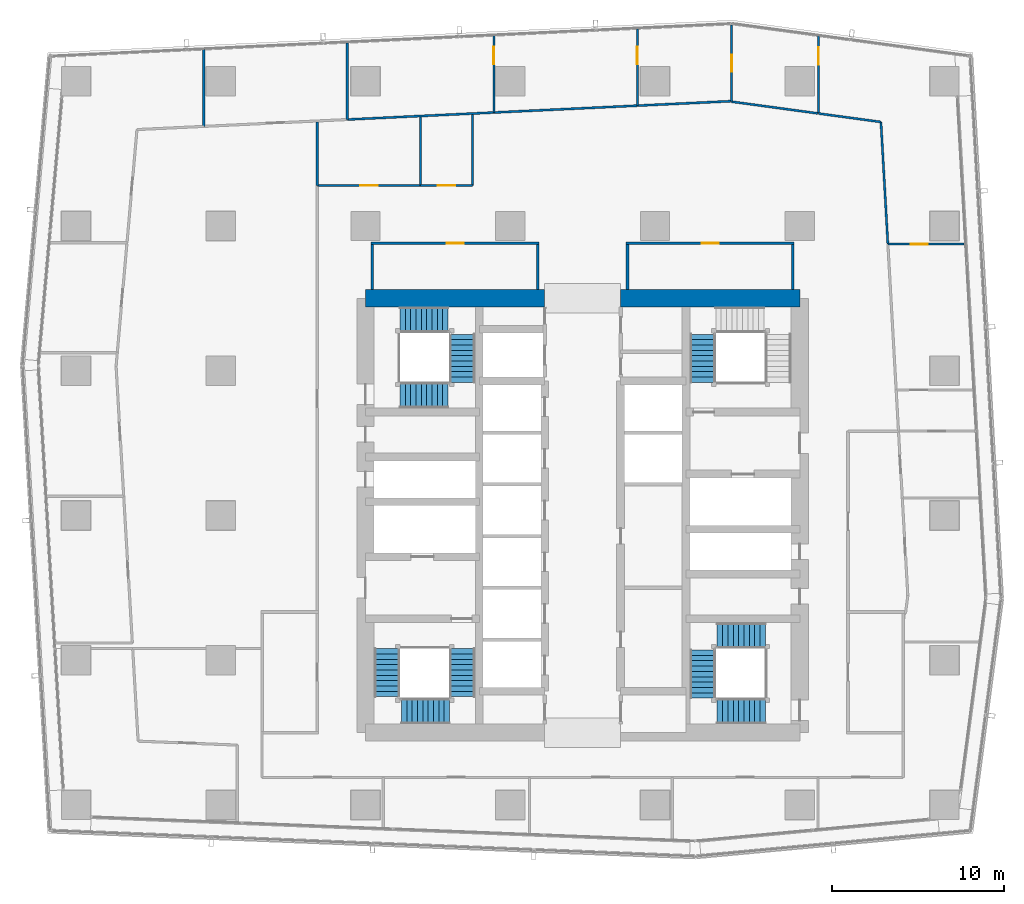
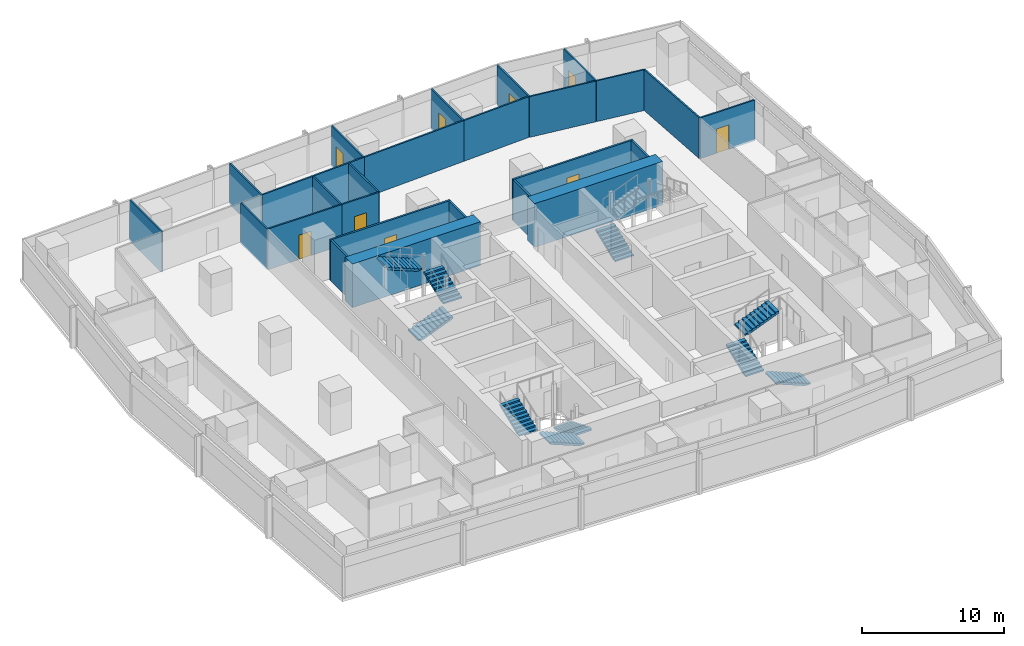
# One storey, part 30 of 39: 26 walls, 10 stair flights, 9 doors, 9 openings, 4 elements without a shape of their own.
"""IFC4 building model written with IfcOpenShell, lengths in metres."""

from ifc_helpers import new_model, si_unit, direction, frame, frame_2d, origin, place, context, subcontext, project, spatial, polyline, rectangle, outline, extrude, material, layer, layer_set, type_object, element, fill, aggregate, save


model = new_model("IFC4")

# Units and contexts
model_context = context("Model", 3, precision=1e-05, world=origin(), true_north=direction((0.0, 1.0)))
body_context = subcontext(model_context, "Body", "Model", "MODEL_VIEW")
ifc_project = project(units=[si_unit("LENGTHUNIT", "METRE"), si_unit("AREAUNIT", "SQUARE_METRE"), si_unit("VOLUMEUNIT", "CUBIC_METRE"), si_unit("PLANEANGLEUNIT", "RADIAN"), si_unit("MASSUNIT", "GRAM", prefix="KILO")], contexts=[model_context])

# Site, building, storey
site_placement = place(None, origin())
site = spatial("IfcSite", under=ifc_project, at=site_placement, CompositionType="ELEMENT")
building_placement = place(site_placement, origin())
building = spatial("IfcBuilding", under=site, at=building_placement, Name="Rekha Terrace Tower", CompositionType="ELEMENT")
storey_placement = place(building_placement, frame((0.0, 0.0, 180.199951171875)))
storey = spatial("IfcBuildingStorey", under=building, at=storey_placement, Name="L45", CompositionType="ELEMENT", Elevation=180.199951171875)

# Walls
ifc_material_1 = material(Name="Concrete M60", Category="concrete")
ifc_layer_1 = layer(ifc_material_1, 1.0)
ifc_layer_set_1 = layer_set([ifc_layer_1], Name="Concrete M60")
wall_type_1 = type_object("IfcWallType", Name="SW3 1000 core outer shear wall", PredefinedType="SHEAR", material=ifc_layer_set_1)
wall_1_placement = place(storey_placement, frame((25.199951171875, 46.199951171875, 0.0), z_axis=(0.0, 0.0, 1.0), x_axis=(1.0, 0.0, 0.0)))
element("IfcWall", 1, at=wall_1_placement, inside=storey, type_object=wall_type_1, Name="Core wall N1 L45", PredefinedType="SHEAR", context=body_context, shape_type="SweptSolid", body=[
    extrude(rectangle(XDim=10.400146484375, YDim=1.0, at=frame_2d((5.2001953125, 0.0))), origin(), (0.0, 0.0, 1.0), 3.75),
])
wall_2_placement = place(storey_placement, frame((40.0, 46.199951171875, 0.0), z_axis=(0.0, 0.0, 1.0), x_axis=(1.0, 0.0, 0.0)))
element("IfcWall", 2, at=wall_2_placement, inside=storey, type_object=wall_type_1, Name="Core wall N2 L45", PredefinedType="SHEAR", context=body_context, shape_type="SweptSolid", body=[
    extrude(rectangle(XDim=10.39990234375, YDim=1.0, at=frame_2d((5.199951171875, 0.0))), origin(), (0.0, 0.0, 1.0), 3.75),
])

# Wall, opening, door
ifc_material_2 = material(Name="Concrete block masonry, 1 hour", Category="masonry")
ifc_layer_2 = layer(ifc_material_2, 0.14990234375)
ifc_layer_set_2 = layer_set([ifc_layer_2], Name="Concrete block masonry, 1 hour")
wall_type_2 = type_object("IfcWallType", Name="WP2 150 tenancy partition", PredefinedType="PARTITIONING", material=ifc_layer_set_2)
wall_3_placement = place(storey_placement, frame((40.324951171875, 49.39990234375, 0.0), z_axis=(0.0, 0.0, 1.0), x_axis=(1.0, 0.0, 0.0)))
wall_3 = element("IfcWall", 3, at=wall_3_placement, inside=storey, type_object=wall_type_2, Name="Women's WC wall L45", PredefinedType="PARTITIONING", context=body_context, shape_type="SweptSolid", body=[
    extrude(rectangle(XDim=9.75, YDim=0.14990234375, at=frame_2d((4.875, 0.0))), origin(), (0.0, 0.0, 1.0), 3.5),
])
opening_1_placement = place(wall_3_placement, frame((4.375, 0.0, 0.0)))
opening_1 = element("IfcOpeningElement", 4, at=opening_1_placement, cuts=wall_3, Name="Opening D3", PredefinedType="OPENING", context=body_context, shape_type="SweptSolid", body=[
    extrude(rectangle(XDim=1.0, YDim=2.10009765625, at=frame_2d((0.5, 1.050048828125))), frame((0.0, 0.0849609375, 0.0), z_axis=(0.0, -1.0, 0.0), x_axis=(1.0, 0.0, 0.0)), (0.0, 0.0, 1.0), 0.169921875),
])
ifc_material_3 = material(Name="Laminated timber fire door", Category="wood")
door_type_1 = type_object("IfcDoorType", Name="D3 1000x2100 WC door", OperationType="SINGLE_SWING_LEFT", PredefinedType="DOOR", material=ifc_material_3)
door_1_placement = place(opening_1_placement, origin())
door_1 = element("IfcDoor", 5, at=door_1_placement, inside=storey, type_object=door_type_1, Name="Door women's wc L45", OperationType="SINGLE_SWING_LEFT", OverallHeight=2.10009765625, OverallWidth=1.0, PredefinedType="DOOR", context=body_context, shape_type="SweptSolid", body=[
    extrude(rectangle(XDim=1.0, YDim=2.10009765625, at=frame_2d((0.5, 1.050048828125))), frame((0.0, 0.02490234375, 0.0), z_axis=(0.0, -1.0, 0.0), x_axis=(1.0, 0.0, 0.0)), (0.0, 0.0, 1.0), 0.050048828125),
])
fill(opening_1, door_1)

# Walls
for number, where, z_axis, x_axis, name in (
    (6, (40.39990234375, 46.699951171875, 0.0), (0.0, 0.0, 1.0), (0.0, 1.0, 0.0), "Women's WC wall L45"),
    (7, (50.0, 46.699951171875, 0.0), (0.0, 0.0, 1.0), (0.0, 1.0, 0.0), "Women's WC wall L45"),
):
    element("IfcWall", number, at=place(storey_placement, frame(where, z_axis=z_axis, x_axis=x_axis)), inside=storey, type_object=wall_type_2, Name=name, PredefinedType="PARTITIONING", context=body_context, shape_type="SweptSolid", body=[
        extrude(rectangle(XDim=2.625, YDim=0.14990234375, at=frame_2d((1.3125, 0.0))), origin(), (0.0, 0.0, 1.0), 3.5),
    ])

# Wall, opening, door
wall_4_placement = place(storey_placement, frame((25.52490234375, 49.39990234375, 0.0), z_axis=(0.0, 0.0, 1.0), x_axis=(1.0, 0.0, 0.0)))
wall_4 = element("IfcWall", 8, at=wall_4_placement, inside=storey, type_object=wall_type_2, Name="Women's WC wall L45", PredefinedType="PARTITIONING", context=body_context, shape_type="SweptSolid", body=[
    extrude(rectangle(XDim=9.75, YDim=0.14990234375, at=frame_2d((4.875, 0.0))), origin(), (0.0, 0.0, 1.0), 3.5),
])
opening_2_placement = place(wall_4_placement, frame((4.375, 0.0, 0.0)))
opening_2 = element("IfcOpeningElement", 9, at=opening_2_placement, cuts=wall_4, Name="Opening D3", PredefinedType="OPENING", context=body_context, shape_type="SweptSolid", body=[
    extrude(rectangle(XDim=1.0, YDim=2.10009765625, at=frame_2d((0.5, 1.050048828125))), frame((0.0, 0.0849609375, 0.0), z_axis=(0.0, -1.0, 0.0), x_axis=(1.0, 0.0, 0.0)), (0.0, 0.0, 1.0), 0.169921875),
])
door_2_placement = place(opening_2_placement, origin())
door_2 = element("IfcDoor", 10, at=door_2_placement, inside=storey, type_object=door_type_1, Name="Door women's wc L45", OperationType="SINGLE_SWING_LEFT", OverallHeight=2.10009765625, OverallWidth=1.0, PredefinedType="DOOR", context=body_context, shape_type="SweptSolid", body=[
    extrude(rectangle(XDim=1.0, YDim=2.10009765625, at=frame_2d((0.5, 1.050048828125))), frame((0.0, 0.02490234375, 0.0), z_axis=(0.0, -1.0, 0.0), x_axis=(1.0, 0.0, 0.0)), (0.0, 0.0, 1.0), 0.050048828125),
])
fill(opening_2, door_2)

# Walls
for number, where, z_axis, x_axis, name in (
    (11, (25.60009765625, 46.699951171875, 0.0), (0.0, 0.0, 1.0), (0.0, 1.0, 0.0), "Women's WC wall L45"),
    (12, (35.199951171875, 46.699951171875, 0.0), (0.0, 0.0, 1.0), (0.0, 1.0, 0.0), "Women's WC wall L45"),
):
    element("IfcWall", number, at=place(storey_placement, frame(where, z_axis=z_axis, x_axis=x_axis)), inside=storey, type_object=wall_type_2, Name=name, PredefinedType="PARTITIONING", context=body_context, shape_type="SweptSolid", body=[
        extrude(rectangle(XDim=2.625, YDim=0.14990234375, at=frame_2d((1.3125, 0.0))), origin(), (0.0, 0.0, 1.0), 3.5),
    ])

# Wall, opening, door
ifc_material_4 = material(Name="Two layers of fire-rated gypsum board each side on steel studs, acoustic quilt, 1 hour", Category="steel")
ifc_layer_3 = layer(ifc_material_4, 0.125)
ifc_layer_set_3 = layer_set([ifc_layer_3], Name="Two layers of fire-rated gypsum board each side on steel studs, acoustic quilt, 1 hour")
wall_type_3 = type_object("IfcWallType", Name="WP3 125 office partition", PredefinedType="PARTITIONING", material=ifc_layer_set_3)
wall_5_placement = place(storey_placement, frame((55.511962890625, 49.345947265625, 0.0), z_axis=(0.0, 0.0, 1.0), x_axis=(1.0, 0.0, 0.0)))
wall_5 = element("IfcWall", 13, at=wall_5_placement, inside=storey, type_object=wall_type_3, Name="Partition L45-11", PredefinedType="PARTITIONING", context=body_context, shape_type="SweptSolid", body=[
    extrude(rectangle(XDim=4.427001953125, YDim=0.125, at=frame_2d((2.21337890625, 0.0))), origin(), (0.0, 0.0, 1.0), 3.5),
])
opening_3_placement = place(wall_5_placement, frame((1.31298828125, 0.0, 0.0)))
opening_3 = element("IfcOpeningElement", 14, at=opening_3_placement, cuts=wall_5, Name="Opening D9", PredefinedType="OPENING", context=body_context, shape_type="SweptSolid", body=[
    extrude(rectangle(XDim=1.0, YDim=2.10009765625, at=frame_2d((0.5, 1.050048828125))), frame((0.0, 0.072509765625, 0.0), z_axis=(0.0, -1.0, 0.0), x_axis=(1.0, 0.0, 0.0)), (0.0, 0.0, 1.0), 0.14501953125),
])
ifc_material_5 = material(Name="Timber fire door", Category="wood")
door_type_2 = type_object("IfcDoorType", Name="D9 1000x2100 office door", OperationType="SINGLE_SWING_LEFT", PredefinedType="DOOR", material=ifc_material_5)
door_3_placement = place(opening_3_placement, origin())
door_3 = element("IfcDoor", 15, at=door_3_placement, inside=storey, type_object=door_type_2, Name="Door director's office L45", OperationType="SINGLE_SWING_LEFT", OverallHeight=2.10009765625, OverallWidth=1.0, PredefinedType="DOOR", context=body_context, shape_type="SweptSolid", body=[
    extrude(rectangle(XDim=1.0, YDim=2.10009765625, at=frame_2d((0.5, 1.050048828125))), frame((0.0, 0.02490234375, 0.0), z_axis=(0.0, -1.0, 0.0), x_axis=(1.0, 0.0, 0.0)), (0.0, 0.0, 1.0), 0.050048828125),
])
fill(opening_3, door_3)

# Walls
wall_6_placement = place(storey_placement, frame((55.511962890625, 49.346923828125, 0.0), z_axis=(0.0, 0.0, 1.0), x_axis=(-0.056790198377, 0.998386134403, 0.0)))
element("IfcWall", 16, at=wall_6_placement, inside=storey, type_object=wall_type_3, Name="Partition L45-12", PredefinedType="PARTITIONING", context=body_context, shape_type="SweptSolid", body=[
    extrude(rectangle(XDim=7.09765625, YDim=0.125, at=frame_2d((3.548828125, 0.0))), origin(), (0.0, 0.0, 1.0), 3.5),
])
wall_7_placement = place(storey_placement, frame((55.10888671875, 56.43310546875, 0.0), z_axis=(0.0, 0.0, 1.0), x_axis=(-0.990875204357, 0.134782526282, 0.0)))
element("IfcWall", 17, at=wall_7_placement, inside=storey, type_object=wall_type_3, Name="Partition L45-12", PredefinedType="PARTITIONING", context=body_context, shape_type="SweptSolid", body=[
    extrude(rectangle(XDim=3.6572265625, YDim=0.125, at=frame_2d((1.82861328125, 0.0))), origin(), (0.0, 0.0, 1.0), 3.5),
])

# Wall, opening, door
wall_8_placement = place(storey_placement, frame((51.485107421875, 56.926025390625, 0.0), z_axis=(0.0, 0.0, 1.0), x_axis=(0.0, 1.0, 0.0)))
wall_8 = element("IfcWall", 18, at=wall_8_placement, inside=storey, type_object=wall_type_3, Name="Partition L45-12", PredefinedType="PARTITIONING", context=body_context, shape_type="SweptSolid", body=[
    extrude(rectangle(XDim=4.491943359375, YDim=0.125, at=frame_2d((2.24609375, 0.0))), origin(), (0.0, 0.0, 1.0), 3.5),
])
opening_4_placement = place(wall_8_placement, frame((2.8310546875, 0.0, 0.0)))
opening_4 = element("IfcOpeningElement", 19, at=opening_4_placement, cuts=wall_8, Name="Opening D9", PredefinedType="OPENING", context=body_context, shape_type="SweptSolid", body=[
    extrude(rectangle(XDim=1.0, YDim=2.10009765625, at=frame_2d((0.5, 1.050048828125))), frame((0.0, 0.072509765625, 0.0), z_axis=(0.0, -1.0, 0.0), x_axis=(1.0, 0.0, 0.0)), (0.0, 0.0, 1.0), 0.14501953125),
])
door_4_placement = place(opening_4_placement, origin())
door_4 = element("IfcDoor", 20, at=door_4_placement, inside=storey, type_object=door_type_2, Name="Door office L45", OperationType="SINGLE_SWING_LEFT", OverallHeight=2.10009765625, OverallWidth=1.0, PredefinedType="DOOR", context=body_context, shape_type="SweptSolid", body=[
    extrude(rectangle(XDim=1.0, YDim=2.10009765625, at=frame_2d((0.5, 1.050048828125))), frame((0.0, 0.02490234375, 0.0), z_axis=(0.0, -1.0, 0.0), x_axis=(1.0, 0.0, 0.0)), (0.0, 0.0, 1.0), 0.050048828125),
])
fill(opening_4, door_4)

# Wall
wall_9_placement = place(storey_placement, frame((51.422119140625, 56.93505859375, 0.0), z_axis=(0.0, 0.0, 1.0), x_axis=(-0.990875070968, 0.134783506906, 0.0)))
element("IfcWall", 21, at=wall_9_placement, inside=storey, type_object=wall_type_3, Name="Partition L45-13", PredefinedType="PARTITIONING", context=body_context, shape_type="SweptSolid", body=[
    extrude(rectangle(XDim=5.02294921875, YDim=0.125, at=frame_2d((2.511474609375, 0.0))), origin(), (0.0, 0.0, 1.0), 3.5),
])

# Wall, opening, door
wall_10_placement = place(storey_placement, frame((46.445068359375, 57.62109375, 0.0), z_axis=(0.0, 0.0, 1.0), x_axis=(0.0, 1.0, 0.0)))
wall_10 = element("IfcWall", 22, at=wall_10_placement, inside=storey, type_object=wall_type_3, Name="Partition L45-13", PredefinedType="PARTITIONING", context=body_context, shape_type="SweptSolid", body=[
    extrude(rectangle(XDim=4.44580078125, YDim=0.125, at=frame_2d((2.222900390625, 0.0))), origin(), (0.0, 0.0, 1.0), 3.5),
])
opening_5_placement = place(wall_10_placement, frame((1.718994140625, 0.0, 0.0)))
opening_5 = element("IfcOpeningElement", 23, at=opening_5_placement, cuts=wall_10, Name="Opening D9", PredefinedType="OPENING", context=body_context, shape_type="SweptSolid", body=[
    extrude(rectangle(XDim=1.0, YDim=2.10009765625, at=frame_2d((0.5, 1.050048828125))), frame((0.0, 0.072509765625, 0.0), z_axis=(0.0, -1.0, 0.0), x_axis=(1.0, 0.0, 0.0)), (0.0, 0.0, 1.0), 0.14501953125),
])
door_5_placement = place(opening_5_placement, origin())
door_5 = element("IfcDoor", 24, at=door_5_placement, inside=storey, type_object=door_type_2, Name="Door office L45", OperationType="SINGLE_SWING_LEFT", OverallHeight=2.10009765625, OverallWidth=1.0, PredefinedType="DOOR", context=body_context, shape_type="SweptSolid", body=[
    extrude(rectangle(XDim=1.0, YDim=2.10009765625, at=frame_2d((0.5, 1.050048828125))), frame((0.0, 0.02490234375, 0.0), z_axis=(0.0, -1.0, 0.0), x_axis=(1.0, 0.0, 0.0)), (0.0, 0.0, 1.0), 0.050048828125),
])
fill(opening_5, door_5)

wall_11_placement = place(storey_placement, frame((40.97802734375, 57.381103515625, 0.0), z_axis=(0.0, 0.0, 1.0), x_axis=(0.0, 1.0, 0.0)))
wall_11 = element("IfcWall", 25, at=wall_11_placement, inside=storey, type_object=wall_type_3, Name="Partition L45-14", PredefinedType="PARTITIONING", context=body_context, shape_type="SweptSolid", body=[
    extrude(rectangle(XDim=4.454833984375, YDim=0.125, at=frame_2d((2.2275390625, 0.0))), origin(), (0.0, 0.0, 1.0), 3.5),
])
opening_6_placement = place(wall_11_placement, frame((2.412109375, 0.0, 0.0)))
opening_6 = element("IfcOpeningElement", 26, at=opening_6_placement, cuts=wall_11, Name="Opening D9", PredefinedType="OPENING", context=body_context, shape_type="SweptSolid", body=[
    extrude(rectangle(XDim=1.0, YDim=2.10009765625, at=frame_2d((0.5, 1.050048828125))), frame((0.0, 0.072509765625, 0.0), z_axis=(0.0, -1.0, 0.0), x_axis=(1.0, 0.0, 0.0)), (0.0, 0.0, 1.0), 0.14501953125),
])
door_6_placement = place(opening_6_placement, origin())
door_6 = element("IfcDoor", 27, at=door_6_placement, inside=storey, type_object=door_type_2, Name="Door office L45", OperationType="SINGLE_SWING_LEFT", OverallHeight=2.10009765625, OverallWidth=1.0, PredefinedType="DOOR", context=body_context, shape_type="SweptSolid", body=[
    extrude(rectangle(XDim=1.0, YDim=2.10009765625, at=frame_2d((0.5, 1.050048828125))), frame((0.0, 0.02490234375, 0.0), z_axis=(0.0, -1.0, 0.0), x_axis=(1.0, 0.0, 0.0)), (0.0, 0.0, 1.0), 0.050048828125),
])
fill(opening_6, door_6)

# Walls
wall_12_placement = place(storey_placement, frame((46.383056640625, 57.638916015625, 0.0), z_axis=(0.0, 0.0, 1.0), x_axis=(-0.998864357741, -0.047644462793, 0.0)))
element("IfcWall", 28, at=wall_12_placement, inside=storey, type_object=wall_type_3, Name="Partition L45-14", PredefinedType="PARTITIONING", context=body_context, shape_type="SweptSolid", body=[
    extrude(rectangle(XDim=5.4111328125, YDim=0.125, at=frame_2d((2.70556640625, 0.0))), origin(), (0.0, 0.0, 1.0), 3.5),
])
wall_13_placement = place(storey_placement, frame((40.97705078125, 57.381103515625, 0.0), z_axis=(0.0, 0.0, 1.0), x_axis=(-0.998858643294, -0.047764115375, 0.0)))
element("IfcWall", 29, at=wall_13_placement, inside=storey, type_object=wall_type_3, Name="Partition L45-15", PredefinedType="PARTITIONING", context=body_context, shape_type="SweptSolid", body=[
    extrude(rectangle(XDim=8.336669921875, YDim=0.125, at=frame_2d((4.16845703125, 0.0))), origin(), (0.0, 0.0, 1.0), 3.5),
])

# Wall, opening, door
wall_14_placement = place(storey_placement, frame((32.64990234375, 56.98291015625, 0.0), z_axis=(0.0, 0.0, 1.0), x_axis=(0.0, 1.0, 0.0)))
wall_14 = element("IfcWall", 30, at=wall_14_placement, inside=storey, type_object=wall_type_3, Name="Partition L45-15", PredefinedType="PARTITIONING", context=body_context, shape_type="SweptSolid", body=[
    extrude(rectangle(XDim=4.455078125, YDim=0.125, at=frame_2d((2.2275390625, 0.0))), origin(), (0.0, 0.0, 1.0), 3.5),
])
opening_7_placement = place(wall_14_placement, frame((2.81201171875, 0.0, 0.0)))
opening_7 = element("IfcOpeningElement", 31, at=opening_7_placement, cuts=wall_14, Name="Opening D9", PredefinedType="OPENING", context=body_context, shape_type="SweptSolid", body=[
    extrude(rectangle(XDim=1.0, YDim=2.10009765625, at=frame_2d((0.5, 1.050048828125))), frame((0.0, 0.072509765625, 0.0), z_axis=(0.0, -1.0, 0.0), x_axis=(1.0, 0.0, 0.0)), (0.0, 0.0, 1.0), 0.14501953125),
])
door_7_placement = place(opening_7_placement, origin())
door_7 = element("IfcDoor", 32, at=door_7_placement, inside=storey, type_object=door_type_2, Name="Door office L45", OperationType="SINGLE_SWING_LEFT", OverallHeight=2.10009765625, OverallWidth=1.0, PredefinedType="DOOR", context=body_context, shape_type="SweptSolid", body=[
    extrude(rectangle(XDim=1.0, YDim=2.10009765625, at=frame_2d((0.5, 1.050048828125))), frame((0.0, 0.02490234375, 0.0), z_axis=(0.0, -1.0, 0.0), x_axis=(1.0, 0.0, 0.0)), (0.0, 0.0, 1.0), 0.050048828125),
])
fill(opening_7, door_7)

# Walls
wall_15_placement = place(storey_placement, frame((32.64892578125, 56.98291015625, 0.0), z_axis=(0.0, 0.0, 1.0), x_axis=(-0.998857279552, -0.047792625861, 0.0)))
element("IfcWall", 33, at=wall_15_placement, inside=storey, type_object=wall_type_3, Name="Partition L45-16", PredefinedType="PARTITIONING", context=body_context, shape_type="SweptSolid", body=[
    extrude(rectangle(XDim=8.515625, YDim=0.125, at=frame_2d((4.2578125, 0.0))), origin(), (0.0, 0.0, 1.0), 3.5),
])
for number, where, z_axis, x_axis, name in (
    (34, (24.14306640625, 56.575927734375, 0.0), (0.0, 0.0, 1.0), (0.0, 1.0, 0.0), "Partition L45-16"),
    (35, (15.81591796875, 56.177978515625, 0.0), (0.0, 0.0, 1.0), (0.0, 1.0, 0.0), "Partition L45-17"),
):
    element("IfcWall", number, at=place(storey_placement, frame(where, z_axis=z_axis, x_axis=x_axis)), inside=storey, type_object=wall_type_3, Name=name, PredefinedType="PARTITIONING", context=body_context, shape_type="SweptSolid", body=[
        extrude(rectangle(XDim=4.455078125, YDim=0.125, at=frame_2d((2.2275390625, 0.0))), origin(), (0.0, 0.0, 1.0), 3.5),
    ])
wall_16_placement = place(storey_placement, frame((28.39990234375, 56.717041015625, 0.0), z_axis=(0.0, 0.0, 1.0), x_axis=(0.0, -1.0, 0.0)))
element("IfcWall", 36, at=wall_16_placement, inside=storey, type_object=wall_type_3, Name="Partition L45-22", PredefinedType="PARTITIONING", context=body_context, shape_type="SweptSolid", body=[
    extrude(rectangle(XDim=3.967041015625, YDim=0.125, at=frame_2d((1.9833984375, 0.0))), origin(), (0.0, 0.0, 1.0), 3.5),
])

# Wall, opening, door
wall_17_placement = place(storey_placement, frame((28.39990234375, 52.75, 0.0), z_axis=(0.0, 0.0, 1.0), x_axis=(-1.0, 0.0, 0.0)))
wall_17 = element("IfcWall", 37, at=wall_17_placement, inside=storey, type_object=wall_type_3, Name="Partition L45-22", PredefinedType="PARTITIONING", context=body_context, shape_type="SweptSolid", body=[
    extrude(rectangle(XDim=6.0, YDim=0.125, at=frame_2d((3.0, 0.0))), origin(), (0.0, 0.0, 1.0), 3.5),
])
opening_8_placement = place(wall_17_placement, frame((2.5, 0.0, 0.0)))
opening_8 = element("IfcOpeningElement", 38, at=opening_8_placement, cuts=wall_17, Name="Opening D9", PredefinedType="OPENING", context=body_context, shape_type="SweptSolid", body=[
    extrude(rectangle(XDim=1.0, YDim=2.10009765625, at=frame_2d((0.5, 1.050048828125))), frame((0.0, 0.072509765625, 0.0), z_axis=(0.0, -1.0, 0.0), x_axis=(1.0, 0.0, 0.0)), (0.0, 0.0, 1.0), 0.14501953125),
])
door_8_placement = place(opening_8_placement, origin())
door_8 = element("IfcDoor", 39, at=door_8_placement, inside=storey, type_object=door_type_2, Name="Door reception L45", OperationType="SINGLE_SWING_LEFT", OverallHeight=2.10009765625, OverallWidth=1.0, PredefinedType="DOOR", context=body_context, shape_type="SweptSolid", body=[
    extrude(rectangle(XDim=1.0, YDim=2.10009765625, at=frame_2d((0.5, 1.050048828125))), frame((0.0, 0.02490234375, 0.0), z_axis=(0.0, -1.0, 0.0), x_axis=(1.0, 0.0, 0.0)), (0.0, 0.0, 1.0), 0.050048828125),
])
fill(opening_8, door_8)

# Walls
wall_18_placement = place(storey_placement, frame((22.39990234375, 52.75, 0.0), z_axis=(0.0, 0.0, 1.0), x_axis=(0.0, 1.0, 0.0)))
element("IfcWall", 40, at=wall_18_placement, inside=storey, type_object=wall_type_3, Name="Partition L45-22", PredefinedType="PARTITIONING", context=body_context, shape_type="SweptSolid", body=[
    extrude(rectangle(XDim=3.679931640625, YDim=0.125, at=frame_2d((1.83984375, 0.0))), origin(), (0.0, 0.0, 1.0), 3.5),
])
wall_19_placement = place(storey_placement, frame((31.39990234375, 56.861083984375, 0.0), z_axis=(0.0, 0.0, 1.0), x_axis=(0.0, -1.0, 0.0)))
element("IfcWall", 41, at=wall_19_placement, inside=storey, type_object=wall_type_3, Name="Partition L45-23", PredefinedType="PARTITIONING", context=body_context, shape_type="SweptSolid", body=[
    extrude(rectangle(XDim=4.111083984375, YDim=0.125, at=frame_2d((2.0556640625, 0.0))), origin(), (0.0, 0.0, 1.0), 3.5),
])

# Wall, opening, door
wall_20_placement = place(storey_placement, frame((31.39990234375, 52.75, 0.0), z_axis=(0.0, 0.0, 1.0), x_axis=(-1.0, 0.0, 0.0)))
wall_20 = element("IfcWall", 42, at=wall_20_placement, inside=storey, type_object=wall_type_3, Name="Partition L45-23", PredefinedType="PARTITIONING", context=body_context, shape_type="SweptSolid", body=[
    extrude(rectangle(XDim=3.0, YDim=0.125, at=frame_2d((1.5, 0.0))), origin(), (0.0, 0.0, 1.0), 3.5),
])
opening_9_placement = place(wall_20_placement, frame((1.0, 0.0, 0.0)))
opening_9 = element("IfcOpeningElement", 43, at=opening_9_placement, cuts=wall_20, Name="Opening D9", PredefinedType="OPENING", context=body_context, shape_type="SweptSolid", body=[
    extrude(rectangle(XDim=1.0, YDim=2.10009765625, at=frame_2d((0.5, 1.050048828125))), frame((0.0, 0.072509765625, 0.0), z_axis=(0.0, -1.0, 0.0), x_axis=(1.0, 0.0, 0.0)), (0.0, 0.0, 1.0), 0.14501953125),
])
door_9_placement = place(opening_9_placement, origin())
door_9 = element("IfcDoor", 44, at=door_9_placement, inside=storey, type_object=door_type_2, Name="Door print room L45", OperationType="SINGLE_SWING_LEFT", OverallHeight=2.10009765625, OverallWidth=1.0, PredefinedType="DOOR", context=body_context, shape_type="SweptSolid", body=[
    extrude(rectangle(XDim=1.0, YDim=2.10009765625, at=frame_2d((0.5, 1.050048828125))), frame((0.0, 0.02490234375, 0.0), z_axis=(0.0, -1.0, 0.0), x_axis=(1.0, 0.0, 0.0)), (0.0, 0.0, 1.0), 0.050048828125),
])
fill(opening_9, door_9)

# Stair, stair flights
ifc_material_6 = material(Name="Concrete M40", Category="concrete")
stair_type = type_object("IfcStairType", Name="ST30 stair, 30 risers of 125, going 310, 1500 wide flights, 3 flights", PredefinedType="HALF_TURN_STAIR", material=ifc_material_6)
stair_1_placement = place(storey_placement, origin())
stair_1 = element("IfcStair", 45, at=stair_1_placement, inside=storey, type_object=stair_type, Name="Stair ST1 L45 to L46", PredefinedType="HALF_TURN_STAIR")
stair_flight_type = type_object("IfcStairFlightType", Name="SF10 stair flight, 10 risers of 125, going 310, 1500 wide", PredefinedType="STRAIGHT", material=ifc_material_6)
stair_flight_1_placement = place(storey_placement, frame((30.824951171875, 25.875, 0.0), z_axis=(0.0, 0.0, 1.0), x_axis=(0.0, -1.0, 0.0)))
stair_flight_1 = element("IfcStairFlight", 46, at=stair_flight_1_placement, type_object=stair_flight_type, Name="ST1 flight 1", NumberOfRisers=10, NumberOfTreads=9, PredefinedType="STRAIGHT", RiserHeight=0.125, TreadLength=0.31, context=body_context, shape_type="SweptSolid", body=[
    extrude(outline(polyline([(0.0, 0.0), (0.0, 0.125), (0.31005859375, 0.125), (0.31005859375, 0.25), (0.6201171875, 0.25), (0.6201171875, 0.375), (0.929931640625, 0.375), (0.929931640625, 0.5), (1.239990234375, 0.5), (1.239990234375, 0.625), (1.550048828125, 0.625), (1.550048828125, 0.75), (1.860107421875, 0.75), (1.860107421875, 0.875), (2.169921875, 0.875), (2.169921875, 1.0), (2.47998046875, 1.0), (2.47998046875, 1.125), (2.7900390625, 1.125), (2.7900390625, 1.25), (2.7900390625, 0.96337890625), (0.40087890625, 0.0), (0.0, 0.0)])), frame((0.0, 0.75, 0.0), z_axis=(0.0, -1.0, 0.0), x_axis=(1.0, 0.0, 0.0)), (0.0, 0.0, 1.0), 1.5),
])
stair_flight_2_placement = place(storey_placement, frame((30.074951171875, 22.25, 1.25), z_axis=(0.0, 0.0, 1.0), x_axis=(-1.0, 0.0, 0.0)))
stair_flight_2 = element("IfcStairFlight", 47, at=stair_flight_2_placement, type_object=stair_flight_type, Name="ST1 flight 2", NumberOfRisers=10, NumberOfTreads=9, PredefinedType="STRAIGHT", RiserHeight=0.125, TreadLength=0.31, context=body_context, shape_type="SweptSolid", body=[
    extrude(outline(polyline([(0.0, 0.0), (0.0, 0.125), (0.31005859375, 0.125), (0.31005859375, 0.25), (0.6201171875, 0.25), (0.6201171875, 0.375), (0.929931640625, 0.375), (0.929931640625, 0.5), (1.239990234375, 0.5), (1.239990234375, 0.625), (1.550048828125, 0.625), (1.550048828125, 0.75), (1.860107421875, 0.75), (1.860107421875, 0.875), (2.169921875, 0.875), (2.169921875, 1.0), (2.47998046875, 1.0), (2.47998046875, 1.125), (2.7900390625, 1.125), (2.7900390625, 1.25), (2.7900390625, 0.96337890625), (0.40087890625, 0.0), (0.0, 0.0)])), frame((0.0, 0.75, 0.0), z_axis=(0.0, -1.0, 0.0), x_axis=(1.0, 0.0, 0.0)), (0.0, 0.0, 1.0), 1.5),
])
stair_flight_3_placement = place(storey_placement, frame((26.449951171875, 23.0849609375, 2.5), z_axis=(0.0, 0.0, 1.0), x_axis=(0.0, 1.0, 0.0)))
stair_flight_3 = element("IfcStairFlight", 48, at=stair_flight_3_placement, type_object=stair_flight_type, Name="ST1 flight 3", NumberOfRisers=10, NumberOfTreads=9, PredefinedType="STRAIGHT", RiserHeight=0.125, TreadLength=0.31, context=body_context, shape_type="SweptSolid", body=[
    extrude(outline(polyline([(0.0, 0.0), (0.0, 0.125), (0.31005859375, 0.125), (0.31005859375, 0.25), (0.6201171875, 0.25), (0.6201171875, 0.375), (0.929931640625, 0.375), (0.929931640625, 0.5), (1.239990234375, 0.5), (1.239990234375, 0.625), (1.550048828125, 0.625), (1.550048828125, 0.75), (1.860107421875, 0.75), (1.860107421875, 0.875), (2.169921875, 0.875), (2.169921875, 1.0), (2.47998046875, 1.0), (2.47998046875, 1.125), (2.7900390625, 1.125), (2.7900390625, 1.25), (2.7900390625, 0.96337890625), (0.40087890625, 0.0), (0.0, 0.0)])), frame((0.0, 0.75, 0.0), z_axis=(0.0, -1.0, 0.0), x_axis=(1.0, 0.0, 0.0)), (0.0, 0.0, 1.0), 1.5),
])
aggregate(stair_1, [stair_flight_1, stair_flight_2, stair_flight_3])

# Stair, stair flight
stair_2_placement = place(storey_placement, origin())
stair_2 = element("IfcStair", 49, at=stair_2_placement, inside=storey, type_object=stair_type, Name="Stair ST2 L45 to L46", PredefinedType="HALF_TURN_STAIR")
stair_flight_4_placement = place(storey_placement, frame((44.77490234375, 41.324951171875, 0.0), z_axis=(0.0, 0.0, 1.0), x_axis=(0.0, 1.0, 0.0)))
stair_flight_4 = element("IfcStairFlight", 50, at=stair_flight_4_placement, type_object=stair_flight_type, Name="ST2 flight 1", NumberOfRisers=10, NumberOfTreads=9, PredefinedType="STRAIGHT", RiserHeight=0.125, TreadLength=0.31, context=body_context, shape_type="SweptSolid", body=[
    extrude(outline(polyline([(0.0, 0.0), (0.0, 0.125), (0.31005859375, 0.125), (0.31005859375, 0.25), (0.6201171875, 0.25), (0.6201171875, 0.375), (0.929931640625, 0.375), (0.929931640625, 0.5), (1.239990234375, 0.5), (1.239990234375, 0.625), (1.550048828125, 0.625), (1.550048828125, 0.75), (1.860107421875, 0.75), (1.860107421875, 0.875), (2.169921875, 0.875), (2.169921875, 1.0), (2.47998046875, 1.0), (2.47998046875, 1.125), (2.7900390625, 1.125), (2.7900390625, 1.25), (2.7900390625, 0.96337890625), (0.40087890625, 0.0), (0.0, 0.0)])), frame((0.0, 0.75, 0.0), z_axis=(0.0, -1.0, 0.0), x_axis=(1.0, 0.0, 0.0)), (0.0, 0.0, 1.0), 1.5),
])
aggregate(stair_2, [stair_flight_4])

# Stair, stair flights
stair_3_placement = place(storey_placement, origin())
stair_3 = element("IfcStair", 51, at=stair_3_placement, inside=storey, type_object=stair_type, Name="Stair ST3 L45 to L46", PredefinedType="HALF_TURN_STAIR")
stair_flight_5_placement = place(storey_placement, frame((48.39990234375, 22.25, 0.0), z_axis=(0.0, 0.0, 1.0), x_axis=(-1.0, 0.0, 0.0)))
stair_flight_5 = element("IfcStairFlight", 52, at=stair_flight_5_placement, type_object=stair_flight_type, Name="ST3 flight 1", NumberOfRisers=10, NumberOfTreads=9, PredefinedType="STRAIGHT", RiserHeight=0.125, TreadLength=0.31, context=body_context, shape_type="SweptSolid", body=[
    extrude(outline(polyline([(0.0, 0.0), (0.0, 0.125), (0.31005859375, 0.125), (0.31005859375, 0.25), (0.6201171875, 0.25), (0.6201171875, 0.375), (0.929931640625, 0.375), (0.929931640625, 0.5), (1.239990234375, 0.5), (1.239990234375, 0.625), (1.550048828125, 0.625), (1.550048828125, 0.75), (1.860107421875, 0.75), (1.860107421875, 0.875), (2.169921875, 0.875), (2.169921875, 1.0), (2.47998046875, 1.0), (2.47998046875, 1.125), (2.7900390625, 1.125), (2.7900390625, 1.25), (2.7900390625, 0.96337890625), (0.40087890625, 0.0), (0.0, 0.0)])), frame((0.0, 0.75, 0.0), z_axis=(0.0, -1.0, 0.0), x_axis=(1.0, 0.0, 0.0)), (0.0, 0.0, 1.0), 1.5),
])
stair_flight_6_placement = place(storey_placement, frame((44.77490234375, 23.0, 1.25), z_axis=(0.0, 0.0, 1.0), x_axis=(0.0, 1.0, 0.0)))
stair_flight_6 = element("IfcStairFlight", 53, at=stair_flight_6_placement, type_object=stair_flight_type, Name="ST3 flight 2", NumberOfRisers=10, NumberOfTreads=9, PredefinedType="STRAIGHT", RiserHeight=0.125, TreadLength=0.31, context=body_context, shape_type="SweptSolid", body=[
    extrude(outline(polyline([(0.0, 0.0), (0.0, 0.125), (0.31005859375, 0.125), (0.31005859375, 0.25), (0.6201171875, 0.25), (0.6201171875, 0.375), (0.929931640625, 0.375), (0.929931640625, 0.5), (1.239990234375, 0.5), (1.239990234375, 0.625), (1.550048828125, 0.625), (1.550048828125, 0.75), (1.860107421875, 0.75), (1.860107421875, 0.875), (2.169921875, 0.875), (2.169921875, 1.0), (2.47998046875, 1.0), (2.47998046875, 1.125), (2.7900390625, 1.125), (2.7900390625, 1.25), (2.7900390625, 0.96337890625), (0.40087890625, 0.0), (0.0, 0.0)])), frame((0.0, 0.75, 0.0), z_axis=(0.0, -1.0, 0.0), x_axis=(1.0, 0.0, 0.0)), (0.0, 0.0, 1.0), 1.5),
])
stair_flight_7_placement = place(storey_placement, frame((45.610107421875, 26.625, 2.5), z_axis=(0.0, 0.0, 1.0), x_axis=(1.0, 0.0, 0.0)))
stair_flight_7 = element("IfcStairFlight", 54, at=stair_flight_7_placement, type_object=stair_flight_type, Name="ST3 flight 3", NumberOfRisers=10, NumberOfTreads=9, PredefinedType="STRAIGHT", RiserHeight=0.125, TreadLength=0.31, context=body_context, shape_type="SweptSolid", body=[
    extrude(outline(polyline([(0.0, 0.0), (0.0, 0.125), (0.31005859375, 0.125), (0.31005859375, 0.25), (0.6201171875, 0.25), (0.6201171875, 0.375), (0.929931640625, 0.375), (0.929931640625, 0.5), (1.239990234375, 0.5), (1.239990234375, 0.625), (1.550048828125, 0.625), (1.550048828125, 0.75), (1.860107421875, 0.75), (1.860107421875, 0.875), (2.169921875, 0.875), (2.169921875, 1.0), (2.47998046875, 1.0), (2.47998046875, 1.125), (2.7900390625, 1.125), (2.7900390625, 1.25), (2.7900390625, 0.96337890625), (0.40087890625, 0.0), (0.0, 0.0)])), frame((0.0, 0.75, 0.0), z_axis=(0.0, -1.0, 0.0), x_axis=(1.0, 0.0, 0.0)), (0.0, 0.0, 1.0), 1.5),
])
aggregate(stair_3, [stair_flight_5, stair_flight_6, stair_flight_7])

stair_4_placement = place(storey_placement, origin())
stair_4 = element("IfcStair", 55, at=stair_4_placement, inside=storey, type_object=stair_type, Name="Stair ST4 L45 to L46", PredefinedType="HALF_TURN_STAIR")
stair_flight_8_placement = place(storey_placement, frame((27.199951171875, 40.574951171875, 0.0), z_axis=(0.0, 0.0, 1.0), x_axis=(1.0, 0.0, 0.0)))
stair_flight_8 = element("IfcStairFlight", 56, at=stair_flight_8_placement, type_object=stair_flight_type, Name="ST4 flight 1", NumberOfRisers=10, NumberOfTreads=9, PredefinedType="STRAIGHT", RiserHeight=0.125, TreadLength=0.31, context=body_context, shape_type="SweptSolid", body=[
    extrude(outline(polyline([(0.0, 0.0), (0.0, 0.125), (0.31005859375, 0.125), (0.31005859375, 0.25), (0.6201171875, 0.25), (0.6201171875, 0.375), (0.929931640625, 0.375), (0.929931640625, 0.5), (1.239990234375, 0.5), (1.239990234375, 0.625), (1.550048828125, 0.625), (1.550048828125, 0.75), (1.860107421875, 0.75), (1.860107421875, 0.875), (2.169921875, 0.875), (2.169921875, 1.0), (2.47998046875, 1.0), (2.47998046875, 1.125), (2.7900390625, 1.125), (2.7900390625, 1.25), (2.7900390625, 0.96337890625), (0.40087890625, 0.0), (0.0, 0.0)])), frame((0.0, 0.75, 0.0), z_axis=(0.0, -1.0, 0.0), x_axis=(1.0, 0.0, 0.0)), (0.0, 0.0, 1.0), 1.5),
])
stair_flight_9_placement = place(storey_placement, frame((30.824951171875, 41.324951171875, 1.25), z_axis=(0.0, 0.0, 1.0), x_axis=(0.0, 1.0, 0.0)))
stair_flight_9 = element("IfcStairFlight", 57, at=stair_flight_9_placement, type_object=stair_flight_type, Name="ST4 flight 2", NumberOfRisers=10, NumberOfTreads=9, PredefinedType="STRAIGHT", RiserHeight=0.125, TreadLength=0.31, context=body_context, shape_type="SweptSolid", body=[
    extrude(outline(polyline([(0.0, 0.0), (0.0, 0.125), (0.31005859375, 0.125), (0.31005859375, 0.25), (0.6201171875, 0.25), (0.6201171875, 0.375), (0.929931640625, 0.375), (0.929931640625, 0.5), (1.239990234375, 0.5), (1.239990234375, 0.625), (1.550048828125, 0.625), (1.550048828125, 0.75), (1.860107421875, 0.75), (1.860107421875, 0.875), (2.169921875, 0.875), (2.169921875, 1.0), (2.47998046875, 1.0), (2.47998046875, 1.125), (2.7900390625, 1.125), (2.7900390625, 1.25), (2.7900390625, 0.96337890625), (0.40087890625, 0.0), (0.0, 0.0)])), frame((0.0, 0.75, 0.0), z_axis=(0.0, -1.0, 0.0), x_axis=(1.0, 0.0, 0.0)), (0.0, 0.0, 1.0), 1.5),
])
stair_flight_10_placement = place(storey_placement, frame((29.989990234375, 44.949951171875, 2.5), z_axis=(0.0, 0.0, 1.0), x_axis=(-1.0, 0.0, 0.0)))
stair_flight_10 = element("IfcStairFlight", 58, at=stair_flight_10_placement, type_object=stair_flight_type, Name="ST4 flight 3", NumberOfRisers=10, NumberOfTreads=9, PredefinedType="STRAIGHT", RiserHeight=0.125, TreadLength=0.31, context=body_context, shape_type="SweptSolid", body=[
    extrude(outline(polyline([(0.0, 0.0), (0.0, 0.125), (0.31005859375, 0.125), (0.31005859375, 0.25), (0.6201171875, 0.25), (0.6201171875, 0.375), (0.929931640625, 0.375), (0.929931640625, 0.5), (1.239990234375, 0.5), (1.239990234375, 0.625), (1.550048828125, 0.625), (1.550048828125, 0.75), (1.860107421875, 0.75), (1.860107421875, 0.875), (2.169921875, 0.875), (2.169921875, 1.0), (2.47998046875, 1.0), (2.47998046875, 1.125), (2.7900390625, 1.125), (2.7900390625, 1.25), (2.7900390625, 0.96337890625), (0.40087890625, 0.0), (0.0, 0.0)])), frame((0.0, 0.75, 0.0), z_axis=(0.0, -1.0, 0.0), x_axis=(1.0, 0.0, 0.0)), (0.0, 0.0, 1.0), 1.5),
])
aggregate(stair_4, [stair_flight_8, stair_flight_9, stair_flight_10])

save(model, "model.ifc")
